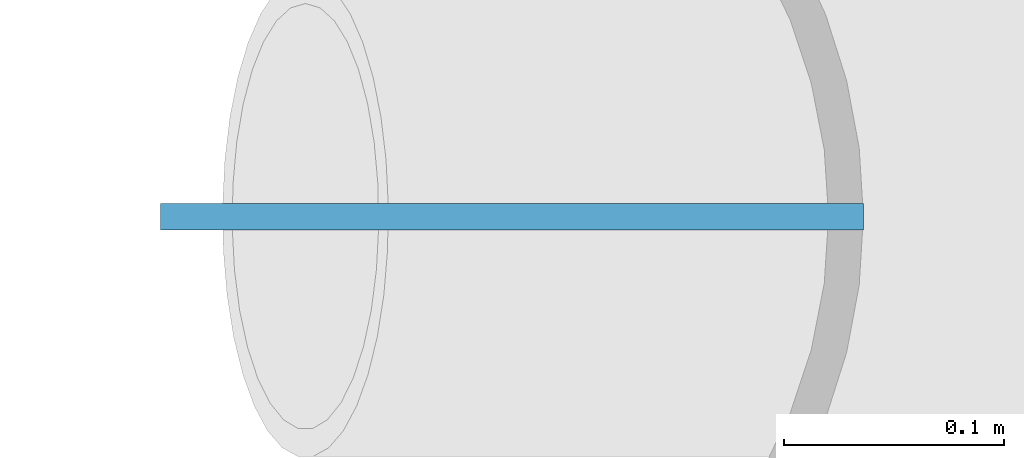
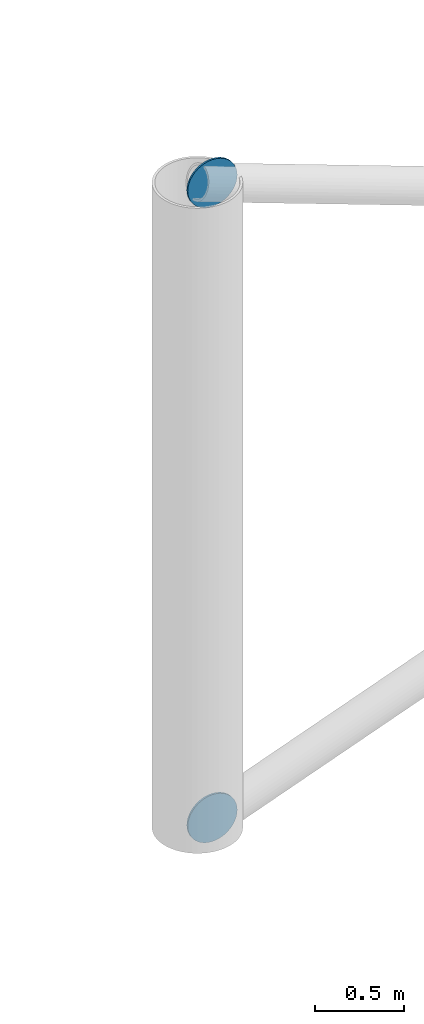
# One storey, part 85 of 115: 2 discrete accessories.
"""IFC4 building model written with IfcOpenShell, lengths in metres."""

from ifc_helpers import new_model, si_unit, direction, frame, origin, origin_2d, place, context, subcontext, project, spatial, circle, extrude, material, layer, layer_set, type_object, element, save


model = new_model("IFC4")

# Units and contexts
model_context = context("Model", 3, precision=1e-05, world=origin(), true_north=direction((0.0, 1.0)))
body_context = subcontext(model_context, "Body", "Model", "MODEL_VIEW")
ifc_project = project(units=[si_unit("LENGTHUNIT", "METRE"), si_unit("AREAUNIT", "SQUARE_METRE"), si_unit("VOLUMEUNIT", "CUBIC_METRE"), si_unit("PLANEANGLEUNIT", "RADIAN"), si_unit("MASSUNIT", "GRAM", prefix="KILO")], contexts=[model_context])

# Site, building, storey
site_placement = place(None, origin())
site = spatial("IfcSite", under=ifc_project, at=site_placement, CompositionType="ELEMENT")
building_placement = place(site_placement, origin())
building = spatial("IfcBuilding", under=site, at=building_placement, Name="Windward Yard Aquatics Centre", CompositionType="ELEMENT")
storey_placement = place(building_placement, frame((0.0, 0.0, 5.0)))
storey = spatial("IfcBuildingStorey", under=building, at=storey_placement, Name="L01", CompositionType="ELEMENT", Elevation=5.0)

# Discrete accessories
ifc_material = material(Name="Steel S355", Category="steel")
ifc_layer = layer(ifc_material, 0.011962890625)
ifc_layer_set = layer_set([ifc_layer], Name="Gusset plate 320 mm disc 12 mm")
discrete_accessory_type = type_object("IfcDiscreteAccessoryType", Name="Gusset plate 320 mm disc 12 mm", PredefinedType="USERDEFINED", material=ifc_layer_set)
for number, where, z_axis, x_axis, name in (
    (1, (132.093994140625, 41.593994140625, 0.034423828125), (0.0, 1.0, 0.0), (-1.0, 0.0, 0.0), "Gusset plate"),
    (2, (132.093994140625, 41.593994140625, 4.365478515625), (0.0, 1.0, 0.0), (-1.0, 0.0, 0.0), "Gusset plate"),
):
    element("IfcDiscreteAccessory", number, at=place(storey_placement, frame(where, z_axis=z_axis, x_axis=x_axis)), inside=storey, type_object=discrete_accessory_type, Name=name, ObjectType="GUSSET PLATE", PredefinedType="USERDEFINED", context=body_context, shape_type="SweptSolid", body=[
        extrude(circle(Radius=0.159912109375, at=origin_2d()), origin(), (0.0, 0.0, 1.0), 0.011962890625),
    ])

save(model, "model.ifc")
